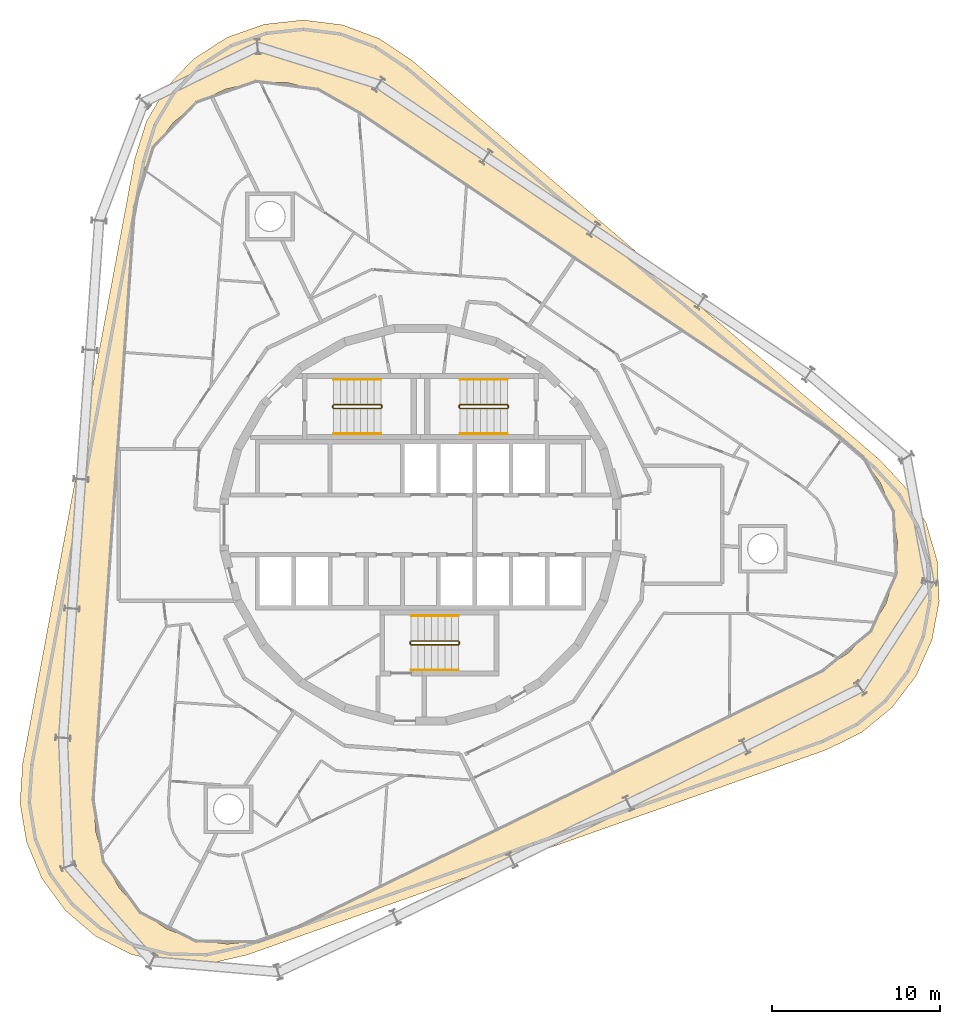
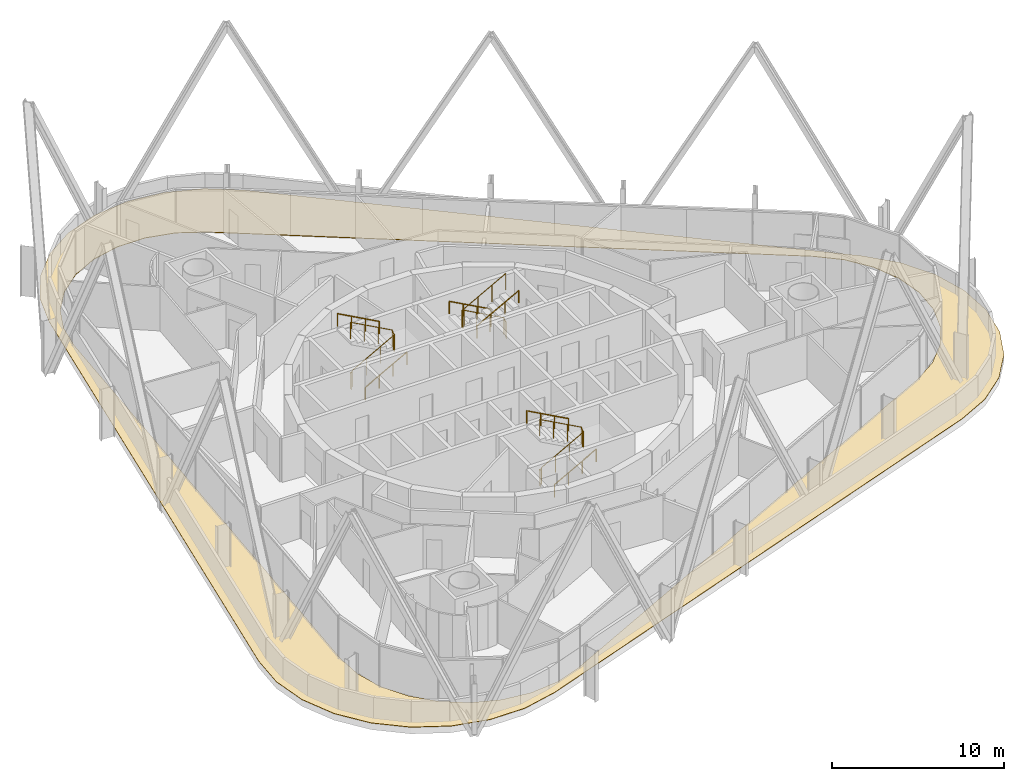
# One storey, part 18 of 18: 9 railings, 1 covering.
"""IFC4 building model written with IfcOpenShell, lengths in metres."""

import ifcopenshell
import ifcopenshell.guid

model = None  # the IFC model being written
_history = None  # IfcOwnerHistory: only IFC2X3 demands one
_inside = {}  # id of a spatial element -> (the spatial element, [elements in it])
_under = {}  # id of a project, library or spatial element -> (it, [spatial elements below it])
_declared = {}  # id of a project -> (the project, [libraries it declares])
_typed = {}  # id of a type object -> (the type object, [elements of that type])
_made_of = {}  # id of a material, layer set ... -> (it, [elements and type objects made of it])


def new_model(schema):
    """Start an empty IFC model of exactly this schema.

    Asked for "IFC4X3", IfcOpenShell would pick the latest addendum, in which some entities
    have other attributes; the version numbers below select the first issue.
    IFC2X3 requires an IfcOwnerHistory on every rooted entity: one is made here for all.
    """
    global model, _history
    if schema == "IFC4X3":
        model = ifcopenshell.file(schema_version=(4, 3, 0, 0))
    else:
        model = ifcopenshell.file(schema=schema)
    _inside.clear()
    _under.clear()
    _declared.clear()
    _typed.clear()
    _made_of.clear()
    _history = None
    if model.schema == "IFC2X3":
        org = make("IfcOrganization", Name="unknown")
        user = make(
            "IfcPersonAndOrganization",
            ThePerson=make("IfcPerson", FamilyName="unknown"),
            TheOrganization=org,
        )
        app = make(
            "IfcApplication",
            ApplicationDeveloper=org,
            Version="unknown",
            ApplicationFullName="unknown",
            ApplicationIdentifier="unknown",
        )
        _history = make(
            "IfcOwnerHistory",
            OwningUser=user,
            OwningApplication=app,
            ChangeAction="ADDED",
            CreationDate=0,
        )
    return model


def make(cls, **values):
    """One entity of the class cls with the attributes given. An attribute that is None is left unset."""
    return model.create_entity(
        cls, **{name: value for name, value in values.items() if value is not None}
    )


def rooted(cls, **values):
    """An entity with a GlobalId (a new one), such as an element, a storey or a relation."""
    return make(cls, GlobalId=ifcopenshell.guid.new(), OwnerHistory=_history, **values)


def si_unit(unit_type, name, prefix=None):
    """IfcSIUnit, for example si_unit("LENGTHUNIT", "METRE", prefix="MILLI")."""
    return make("IfcSIUnit", UnitType=unit_type, Prefix=prefix, Name=name)


def assignment(units):
    """IfcUnitAssignment: the units of a project."""
    return None if units is None else make("IfcUnitAssignment", Units=units)


def point(xyz):
    """IfcCartesianPoint."""
    return None if xyz is None else make("IfcCartesianPoint", Coordinates=xyz)


def direction(xyz):
    """IfcDirection."""
    return None if xyz is None else make("IfcDirection", DirectionRatios=xyz)


def frame(location, z_axis=None, x_axis=None):
    """IfcAxis2Placement3D, a coordinate frame: its origin and axes. An axis left out is left unset."""
    return make(
        "IfcAxis2Placement3D",
        Location=point(location),
        Axis=direction(z_axis),
        RefDirection=direction(x_axis),
    )


def frame_2d(location, x_axis=None):
    """IfcAxis2Placement2D, a coordinate frame in the plane: its origin and x axis."""
    return make(
        "IfcAxis2Placement2D", Location=point(location), RefDirection=direction(x_axis)
    )


def origin():
    """The frame at (0, 0, 0) with its axes left unset."""
    return frame((0.0, 0.0, 0.0))


def origin_2d():
    """The frame at (0, 0) in the plane with its x axis left unset."""
    return frame_2d((0.0, 0.0))


def place(relative_to, where):
    """IfcLocalPlacement: puts the frame where relative to a parent placement (None: the world)."""
    return make(
        "IfcLocalPlacement", PlacementRelTo=relative_to, RelativePlacement=where
    )


def context(
    kind, dimensions, precision=None, world=None, true_north=None, identifier=None
):
    """IfcGeometricRepresentationContext, for example the 3D "Model" context."""
    return make(
        "IfcGeometricRepresentationContext",
        ContextIdentifier=identifier,
        ContextType=kind,
        CoordinateSpaceDimension=dimensions,
        Precision=precision,
        WorldCoordinateSystem=world,
        TrueNorth=true_north,
    )


def subcontext(parent, identifier, kind, view, scale=None):
    """IfcGeometricRepresentationSubContext, for example "Body" below "Model"."""
    return make(
        "IfcGeometricRepresentationSubContext",
        ContextIdentifier=identifier,
        ContextType=kind,
        ParentContext=parent,
        TargetScale=scale,
        TargetView=view,
    )


def project(units=None, contexts=None):
    """IfcProject with its units and contexts."""
    return rooted(
        "IfcProject",
        Name="project",
        RepresentationContexts=contexts,
        UnitsInContext=assignment(units),
    )


def spatial(cls, under=None, at=None, **own):
    """A site, building, storey or space (cls), placed at a placement, below another one or the project."""
    s = rooted(cls, ObjectPlacement=at, **own)
    if under is not None:
        _under.setdefault(under.id(), (under, []))[1].append(s)
    return s


def polyline(points):
    """IfcPolyline through the points."""
    return make("IfcPolyline", Points=[point(p) for p in points])


def profile(cls, at=None, kind="AREA", **sizes):
    """A parametric profile (cls). Its sizes go by their IFC names, for example OverallWidth=200.0."""
    return make(cls, ProfileType=kind, Position=at, **sizes)


def circle(**sizes):
    """IfcCircleProfileDef."""
    return profile("IfcCircleProfileDef", **sizes)


def outline(outer, holes=None, kind="AREA"):
    """IfcArbitraryClosedProfileDef: a profile drawn as a closed curve; with holes, ...WithVoids."""
    if holes is None:
        return make("IfcArbitraryClosedProfileDef", ProfileType=kind, OuterCurve=outer)
    return make(
        "IfcArbitraryProfileDefWithVoids",
        ProfileType=kind,
        OuterCurve=outer,
        InnerCurves=holes,
    )


def extrude(swept, where, along, depth):
    """IfcExtrudedAreaSolid: the profile swept, set in the frame where, extruded along a direction by depth."""
    return make(
        "IfcExtrudedAreaSolid",
        SweptArea=swept,
        Position=where,
        ExtrudedDirection=direction(along),
        Depth=depth,
    )


def shape(context_of_items, identifier, shape_type, items):
    """IfcShapeRepresentation: the items that make up one representation, for example the "Body"."""
    return make(
        "IfcShapeRepresentation",
        ContextOfItems=context_of_items,
        RepresentationIdentifier=identifier,
        RepresentationType=shape_type,
        Items=items,
    )


def material(Name=None, Category=None):
    """IfcMaterial."""
    return make("IfcMaterial", Name=Name, Category=Category)


def layer(
    of_material, thickness, ventilated=None, Name=None, Category=None, Priority=None
):
    """IfcMaterialLayer: one layer of a wall or slab, of a material (None: an air gap)."""
    return make(
        "IfcMaterialLayer",
        Material=of_material,
        LayerThickness=thickness,
        IsVentilated=ventilated,
        Name=Name,
        Category=Category,
        Priority=Priority,
    )


def layer_set(layers, Name=None):
    """IfcMaterialLayerSet."""
    return make("IfcMaterialLayerSet", MaterialLayers=layers, LayerSetName=Name)


def made_of(thing, what):
    """Note that an element or type object is made of a material, layer set ...; save() writes the relation."""
    if what is not None:
        _made_of.setdefault(what.id(), (what, []))[1].append(thing)
    return thing


def type_object(cls, material=None, **own):
    """A type object (cls), such as IfcWallType, which elements share."""
    return made_of(rooted(cls, **own), material)


def element(
    cls,
    number,
    at=None,
    inside=None,
    cuts=None,
    type_object=None,
    material=None,
    context=None,
    identifier="Body",
    shape_type=None,
    held_by="IfcProductDefinitionShape",
    body=None,
    shapes=None,
    **own,
):
    """One element of the class cls, such as IfcWall. Its Tag is "e" and its number.

    at: its placement. inside: the storey or other place that contains it. cuts: it is an
    opening in that element (IfcRelVoidsElement). A single representation is given by context,
    identifier, shape_type and body (its items); several are given by shapes. held_by: the class
    of the entity that holds the representations. save() writes the other relations.
    """
    e = rooted(cls, Tag="e%d" % number, ObjectPlacement=at, **own)
    if body is not None:
        shapes = [shape(context, identifier, shape_type, body)]
    if shapes is not None:
        e.Representation = make(held_by, Representations=shapes)
    if inside is not None:
        _inside.setdefault(inside.id(), (inside, []))[1].append(e)
    if cuts is not None:
        rooted(
            "IfcRelVoidsElement", RelatingBuildingElement=cuts, RelatedOpeningElement=e
        )
    if type_object is not None:
        _typed.setdefault(type_object.id(), (type_object, []))[1].append(e)
    return made_of(e, material)


def aggregate(whole, parts):
    """IfcRelAggregates: a whole, such as a stair, and the parts it consists of."""
    return rooted("IfcRelAggregates", RelatingObject=whole, RelatedObjects=parts)


def save(model, path):
    """Write the relations noted so far, then the file.

    IfcRelAggregates (storeys below a building ...), IfcRelContainedInSpatialStructure (elements
    in a storey), IfcRelDefinesByType, IfcRelAssociatesMaterial and IfcRelDeclares: one each for
    every whole, place, type object, material and project.
    """
    for whole, parts in _under.values():
        aggregate(whole, parts)
    for where, things in _inside.values():
        rooted(
            "IfcRelContainedInSpatialStructure",
            RelatedElements=things,
            RelatingStructure=where,
        )
    for kind, things in _typed.values():
        rooted("IfcRelDefinesByType", RelatedObjects=things, RelatingType=kind)
    for what, things in _made_of.values():
        rooted("IfcRelAssociatesMaterial", RelatedObjects=things, RelatingMaterial=what)
    for by, libraries in _declared.values():
        rooted("IfcRelDeclares", RelatingContext=by, RelatedDefinitions=libraries)
    model.write(path)


model = new_model("IFC4")

# Units and contexts
model_context = context("Model", 3, precision=1e-05, world=origin(), true_north=direction((0.0, 1.0)))
body_context = subcontext(model_context, "Body", "Model", "MODEL_VIEW")
ifc_project = project(units=[si_unit("LENGTHUNIT", "METRE"), si_unit("AREAUNIT", "SQUARE_METRE"), si_unit("VOLUMEUNIT", "CUBIC_METRE"), si_unit("PLANEANGLEUNIT", "RADIAN"), si_unit("MASSUNIT", "GRAM", prefix="KILO")], contexts=[model_context])

# Site, building, storey
site_placement = place(None, origin())
site = spatial("IfcSite", under=ifc_project, at=site_placement, CompositionType="ELEMENT")
building_placement = place(site_placement, origin())
building = spatial("IfcBuilding", under=site, at=building_placement, Name="Spindle Arch Residences", CompositionType="ELEMENT")
storey_placement = place(building_placement, frame((0.0, 0.0, 188.39990234375)))
storey = spatial("IfcBuildingStorey", under=building, at=storey_placement, Name="L47", CompositionType="ELEMENT", Elevation=188.39990234375)

# Railings
ifc_material_1 = material(Name="Steel, painted", Category="steel")
railing_type_1 = type_object("IfcRailingType", Name="Stair guard 1100", PredefinedType="GUARDRAIL", material=ifc_material_1)
railing_1_placement = place(storey_placement, frame((5.14990234375, 6.89990234375, 3.5)))
element("IfcRailing", 1, at=railing_1_placement, inside=storey, type_object=railing_type_1, Name="L47 ST1 stair guard 1", PredefinedType="GUARDRAIL", context=body_context, shape_type="SweptSolid", body=[
    extrude(circle(Radius=0.02392578125, at=origin_2d()), frame((0.0, 0.0, 1.17578125), z_axis=(-0.877357048833, 0.0, -0.479838106931), x_axis=(0.0, -1.0, 0.0)), (0.0, 0.0, 1.0), 3.191162109375),
    extrude(circle(Radius=0.02392578125, at=origin_2d()), frame((-2.7998046875, 0.0, -0.35546875), z_axis=(-0.217683172539, 0.217683172539, -0.951434744366), x_axis=(-0.707106781187, -0.707106781187, 0.0)), (0.0, 0.0, 1.0), 0.22998046875),
    extrude(circle(Radius=0.02392578125, at=origin_2d()), frame((-2.849853515625, 0.050048828125, -0.57421875), z_axis=(0.0, 1.0, 0.0), x_axis=(-1.0, 0.0, 0.0)), (0.0, 0.0, 1.0), 0.1201171875),
    extrude(circle(Radius=0.02392578125, at=origin_2d()), frame((-2.849853515625, 0.170166015625, -0.57421875), z_axis=(0.707106781187, 0.707106781187, 0.0), x_axis=(-0.707106781187, 0.707106781187, 0.0)), (0.0, 0.0, 1.0), 0.07080078125),
    extrude(circle(Radius=0.02392578125, at=origin_2d()), frame((-2.7998046875, 0.22021484375, -0.57421875), z_axis=(0.877357048833, 0.0, -0.479838106931), x_axis=(0.0, 1.0, 0.0)), (0.0, 0.0, 1.0), 3.191162109375),
    extrude(circle(Radius=0.02392578125, at=origin_2d()), frame((0.0, 0.22021484375, -2.10546875), z_axis=(0.217683172539, -0.217683172539, -0.951434744366), x_axis=(0.707106781187, 0.707106781187, 0.0)), (0.0, 0.0, 1.0), 0.22998046875),
    extrude(circle(Radius=0.02392578125, at=origin_2d()), frame((0.050048828125, 0.170166015625, -2.32421875), z_axis=(0.0, -1.0, 0.0), x_axis=(1.0, 0.0, 0.0)), (0.0, 0.0, 1.0), 0.1201171875),
    extrude(circle(Radius=0.02099609375, at=origin_2d()), origin(), (0.0, 0.0, 1.0), 1.15185546875),
    extrude(circle(Radius=0.02099609375, at=origin_2d()), frame((-0.933349609375, 0.0, -0.510498046875)), (0.0, 0.0, 1.0), 1.15185546875),
    extrude(circle(Radius=0.02099609375, at=origin_2d()), frame((-1.866455078125, 0.0, -1.020751953125)), (0.0, 0.0, 1.0), 1.15185546875),
    extrude(circle(Radius=0.02099609375, at=origin_2d()), frame((-2.7998046875, 0.0, -1.53125)), (0.0, 0.0, 1.0), 1.15185546875),
    extrude(circle(Radius=0.02099609375, at=origin_2d()), frame((-2.849853515625, 0.050048828125, -1.75)), (0.0, 0.0, 1.0), 1.15185546875),
    extrude(circle(Radius=0.02099609375, at=origin_2d()), frame((-2.849853515625, 0.170166015625, -1.75)), (0.0, 0.0, 1.0), 1.15185546875),
    extrude(circle(Radius=0.02099609375, at=origin_2d()), frame((-2.7998046875, 0.22021484375, -1.75)), (0.0, 0.0, 1.0), 1.15185546875),
    extrude(circle(Radius=0.02099609375, at=origin_2d()), frame((-1.866455078125, 0.22021484375, -2.260498046875)), (0.0, 0.0, 1.0), 1.15185546875),
    extrude(circle(Radius=0.02099609375, at=origin_2d()), frame((-0.933349609375, 0.22021484375, -2.770751953125)), (0.0, 0.0, 1.0), 1.15185546875),
    extrude(circle(Radius=0.02099609375, at=origin_2d()), frame((0.0, 0.22021484375, -3.28125)), (0.0, 0.0, 1.0), 1.15185546875),
    extrude(circle(Radius=0.02099609375, at=origin_2d()), frame((0.050048828125, 0.170166015625, -3.5)), (0.0, 0.0, 1.0), 1.15185546875),
    extrude(circle(Radius=0.02099609375, at=origin_2d()), frame((0.050048828125, 0.050048828125, -3.5)), (0.0, 0.0, 1.0), 1.15185546875),
])
railing_2_placement = place(storey_placement, frame((-5.14990234375, 7.1201171875, 3.5)))
element("IfcRailing", 2, at=railing_2_placement, inside=storey, type_object=railing_type_1, Name="L47 ST2 stair guard 1", PredefinedType="GUARDRAIL", context=body_context, shape_type="SweptSolid", body=[
    extrude(circle(Radius=0.02392578125, at=origin_2d()), frame((0.0, 0.0, 1.17578125), z_axis=(0.877357048833, 0.0, -0.479838106931), x_axis=(0.0, 1.0, 0.0)), (0.0, 0.0, 1.0), 3.191162109375),
    extrude(circle(Radius=0.02392578125, at=origin_2d()), frame((2.7998046875, 0.0, -0.35546875), z_axis=(0.217683172539, -0.217683172539, -0.951434744366), x_axis=(0.707106781187, 0.707106781187, 0.0)), (0.0, 0.0, 1.0), 0.22998046875),
    extrude(circle(Radius=0.02392578125, at=origin_2d()), frame((2.849853515625, -0.050048828125, -0.57421875), z_axis=(0.0, -1.0, 0.0), x_axis=(1.0, 0.0, 0.0)), (0.0, 0.0, 1.0), 0.1201171875),
    extrude(circle(Radius=0.02392578125, at=origin_2d()), frame((2.849853515625, -0.170166015625, -0.57421875), z_axis=(-0.707106781187, -0.707106781187, 0.0), x_axis=(0.707106781187, -0.707106781187, 0.0)), (0.0, 0.0, 1.0), 0.07080078125),
    extrude(circle(Radius=0.02392578125, at=origin_2d()), frame((2.7998046875, -0.22021484375, -0.57421875), z_axis=(-0.877357048833, 0.0, -0.479838106931), x_axis=(0.0, -1.0, 0.0)), (0.0, 0.0, 1.0), 3.191162109375),
    extrude(circle(Radius=0.02392578125, at=origin_2d()), frame((0.0, -0.22021484375, -2.10546875), z_axis=(-0.217683172539, 0.217683172539, -0.951434744366), x_axis=(-0.707106781187, -0.707106781187, 0.0)), (0.0, 0.0, 1.0), 0.22998046875),
    extrude(circle(Radius=0.02392578125, at=origin_2d()), frame((-0.050048828125, -0.170166015625, -2.32421875), z_axis=(0.0, 1.0, 0.0), x_axis=(-1.0, 0.0, 0.0)), (0.0, 0.0, 1.0), 0.1201171875),
    extrude(circle(Radius=0.02099609375, at=origin_2d()), origin(), (0.0, 0.0, 1.0), 1.15185546875),
    extrude(circle(Radius=0.02099609375, at=origin_2d()), frame((0.933349609375, 0.0, -0.510498046875)), (0.0, 0.0, 1.0), 1.15185546875),
    extrude(circle(Radius=0.02099609375, at=origin_2d()), frame((1.866455078125, 0.0, -1.020751953125)), (0.0, 0.0, 1.0), 1.15185546875),
    extrude(circle(Radius=0.02099609375, at=origin_2d()), frame((2.7998046875, 0.0, -1.53125)), (0.0, 0.0, 1.0), 1.15185546875),
    extrude(circle(Radius=0.02099609375, at=origin_2d()), frame((2.849853515625, -0.050048828125, -1.75)), (0.0, 0.0, 1.0), 1.15185546875),
    extrude(circle(Radius=0.02099609375, at=origin_2d()), frame((2.849853515625, -0.170166015625, -1.75)), (0.0, 0.0, 1.0), 1.15185546875),
    extrude(circle(Radius=0.02099609375, at=origin_2d()), frame((2.7998046875, -0.22021484375, -1.75)), (0.0, 0.0, 1.0), 1.15185546875),
    extrude(circle(Radius=0.02099609375, at=origin_2d()), frame((1.866455078125, -0.22021484375, -2.260498046875)), (0.0, 0.0, 1.0), 1.15185546875),
    extrude(circle(Radius=0.02099609375, at=origin_2d()), frame((0.933349609375, -0.22021484375, -2.770751953125)), (0.0, 0.0, 1.0), 1.15185546875),
    extrude(circle(Radius=0.02099609375, at=origin_2d()), frame((0.0, -0.22021484375, -3.28125)), (0.0, 0.0, 1.0), 1.15185546875),
    extrude(circle(Radius=0.02099609375, at=origin_2d()), frame((-0.050048828125, -0.170166015625, -3.5)), (0.0, 0.0, 1.0), 1.15185546875),
    extrude(circle(Radius=0.02099609375, at=origin_2d()), frame((-0.050048828125, -0.050048828125, -3.5)), (0.0, 0.0, 1.0), 1.15185546875),
])
railing_3_placement = place(storey_placement, frame((-0.550048828125, -6.89990234375, 3.5)))
element("IfcRailing", 3, at=railing_3_placement, inside=storey, type_object=railing_type_1, Name="L47 ST3 stair guard 1", PredefinedType="GUARDRAIL", context=body_context, shape_type="SweptSolid", body=[
    extrude(circle(Radius=0.02392578125, at=origin_2d()), frame((0.0, 0.0, 1.17578125), z_axis=(0.877374661878, 0.0, -0.479805901063), x_axis=(0.0, 1.0, 0.0)), (0.0, 0.0, 1.0), 3.19140625),
    extrude(circle(Radius=0.02392578125, at=origin_2d()), frame((2.800048828125, 0.0, -0.35546875), z_axis=(0.217683172539, -0.217683172539, -0.951434744366), x_axis=(0.707106781187, 0.707106781187, 0.0)), (0.0, 0.0, 1.0), 0.22998046875),
    extrude(circle(Radius=0.02392578125, at=origin_2d()), frame((2.85009765625, -0.050048828125, -0.57421875), z_axis=(0.0, -1.0, 0.0), x_axis=(1.0, 0.0, 0.0)), (0.0, 0.0, 1.0), 0.1201171875),
    extrude(circle(Radius=0.02392578125, at=origin_2d()), frame((2.85009765625, -0.170166015625, -0.57421875), z_axis=(-0.707106781187, -0.707106781187, 0.0), x_axis=(0.707106781187, -0.707106781187, 0.0)), (0.0, 0.0, 1.0), 0.07080078125),
    extrude(circle(Radius=0.02392578125, at=origin_2d()), frame((2.800048828125, -0.22021484375, -0.57421875), z_axis=(-0.877374661878, 0.0, -0.479805901063), x_axis=(0.0, -1.0, 0.0)), (0.0, 0.0, 1.0), 3.19140625),
    extrude(circle(Radius=0.02392578125, at=origin_2d()), frame((0.0, -0.22021484375, -2.10546875), z_axis=(-0.217683172539, 0.217683172539, -0.951434744366), x_axis=(-0.707106781187, -0.707106781187, 0.0)), (0.0, 0.0, 1.0), 0.22998046875),
    extrude(circle(Radius=0.02392578125, at=origin_2d()), frame((-0.050048828125, -0.170166015625, -2.32421875), z_axis=(0.0, 1.0, 0.0), x_axis=(-1.0, 0.0, 0.0)), (0.0, 0.0, 1.0), 0.1201171875),
    extrude(circle(Radius=0.02099609375, at=origin_2d()), origin(), (0.0, 0.0, 1.0), 1.15185546875),
    extrude(circle(Radius=0.02099609375, at=origin_2d()), frame((0.933349609375, 0.0, -0.510498046875)), (0.0, 0.0, 1.0), 1.15185546875),
    extrude(circle(Radius=0.02099609375, at=origin_2d()), frame((1.86669921875, 0.0, -1.020751953125)), (0.0, 0.0, 1.0), 1.15185546875),
    extrude(circle(Radius=0.02099609375, at=origin_2d()), frame((2.800048828125, 0.0, -1.53125)), (0.0, 0.0, 1.0), 1.15185546875),
    extrude(circle(Radius=0.02099609375, at=origin_2d()), frame((2.85009765625, -0.050048828125, -1.75)), (0.0, 0.0, 1.0), 1.15185546875),
    extrude(circle(Radius=0.02099609375, at=origin_2d()), frame((2.85009765625, -0.170166015625, -1.75)), (0.0, 0.0, 1.0), 1.15185546875),
    extrude(circle(Radius=0.02099609375, at=origin_2d()), frame((2.800048828125, -0.22021484375, -1.75)), (0.0, 0.0, 1.0), 1.15185546875),
    extrude(circle(Radius=0.02099609375, at=origin_2d()), frame((1.86669921875, -0.22021484375, -2.260498046875)), (0.0, 0.0, 1.0), 1.15185546875),
    extrude(circle(Radius=0.02099609375, at=origin_2d()), frame((0.933349609375, -0.22021484375, -2.770751953125)), (0.0, 0.0, 1.0), 1.15185546875),
    extrude(circle(Radius=0.02099609375, at=origin_2d()), frame((0.0, -0.22021484375, -3.28125)), (0.0, 0.0, 1.0), 1.15185546875),
    extrude(circle(Radius=0.02099609375, at=origin_2d()), frame((-0.050048828125, -0.170166015625, -3.5)), (0.0, 0.0, 1.0), 1.15185546875),
    extrude(circle(Radius=0.02099609375, at=origin_2d()), frame((-0.050048828125, -0.050048828125, -3.5)), (0.0, 0.0, 1.0), 1.15185546875),
])
ifc_material_2 = material(Name="Steel, painted", Category="steel")
railing_type_2 = type_object("IfcRailingType", Name="Stair handrail 900", PredefinedType="HANDRAIL", material=ifc_material_2)
railing_4_placement = place(storey_placement, frame((5.14990234375, 8.6201171875, 0.21875)))
element("IfcRailing", 4, at=railing_4_placement, inside=storey, type_object=railing_type_2, Name="L47 ST1 stair handrail 1", PredefinedType="HANDRAIL", context=body_context, shape_type="SweptSolid", body=[
    extrude(circle(Radius=0.02392578125, at=origin_2d()), frame((0.0, 0.0, 0.8759765625), z_axis=(-0.877357048833, 0.0, 0.479838106931), x_axis=(0.0, -1.0, 0.0)), (0.0, 0.0, 1.0), 3.191162109375),
    extrude(circle(Radius=0.02099609375, at=origin_2d()), origin(), (0.0, 0.0, 1.0), 0.851806640625),
    extrude(circle(Radius=0.02099609375, at=origin_2d()), frame((-0.933349609375, 0.0, 0.510498046875)), (0.0, 0.0, 1.0), 0.851806640625),
    extrude(circle(Radius=0.02099609375, at=origin_2d()), frame((-1.866455078125, 0.0, 1.020751953125)), (0.0, 0.0, 1.0), 0.851806640625),
    extrude(circle(Radius=0.02099609375, at=origin_2d()), frame((-2.7998046875, 0.0, 1.53125)), (0.0, 0.0, 1.0), 0.851806640625),
])
for number, where, name in (
    (5, (2.35009765625, 5.39990234375, 1.96875), "L47 ST1 stair handrail 2"),
    (6, (-5.14990234375, 5.39990234375, 0.21875), "L47 ST2 stair handrail 1"),
):
    element("IfcRailing", number, at=place(storey_placement, frame(where)), inside=storey, type_object=railing_type_2, Name=name, PredefinedType="HANDRAIL", context=body_context, shape_type="SweptSolid", body=[
        extrude(circle(Radius=0.02392578125, at=origin_2d()), frame((0.0, 0.0, 0.8759765625), z_axis=(0.877357048833, 0.0, 0.479838106931), x_axis=(0.0, 1.0, 0.0)), (0.0, 0.0, 1.0), 3.191162109375),
        extrude(circle(Radius=0.02099609375, at=origin_2d()), origin(), (0.0, 0.0, 1.0), 0.851806640625),
        extrude(circle(Radius=0.02099609375, at=origin_2d()), frame((0.933349609375, 0.0, 0.510498046875)), (0.0, 0.0, 1.0), 0.851806640625),
        extrude(circle(Radius=0.02099609375, at=origin_2d()), frame((1.866455078125, 0.0, 1.020751953125)), (0.0, 0.0, 1.0), 0.851806640625),
        extrude(circle(Radius=0.02099609375, at=origin_2d()), frame((2.7998046875, 0.0, 1.53125)), (0.0, 0.0, 1.0), 0.851806640625),
    ])
railing_5_placement = place(storey_placement, frame((-2.35009765625, 8.6201171875, 1.96875)))
element("IfcRailing", 7, at=railing_5_placement, inside=storey, type_object=railing_type_2, Name="L47 ST2 stair handrail 2", PredefinedType="HANDRAIL", context=body_context, shape_type="SweptSolid", body=[
    extrude(circle(Radius=0.02392578125, at=origin_2d()), frame((0.0, 0.0, 0.8759765625), z_axis=(-0.877357048833, 0.0, 0.479838106931), x_axis=(0.0, -1.0, 0.0)), (0.0, 0.0, 1.0), 3.191162109375),
    extrude(circle(Radius=0.02099609375, at=origin_2d()), origin(), (0.0, 0.0, 1.0), 0.851806640625),
    extrude(circle(Radius=0.02099609375, at=origin_2d()), frame((-0.933349609375, 0.0, 0.510498046875)), (0.0, 0.0, 1.0), 0.851806640625),
    extrude(circle(Radius=0.02099609375, at=origin_2d()), frame((-1.866455078125, 0.0, 1.020751953125)), (0.0, 0.0, 1.0), 0.851806640625),
    extrude(circle(Radius=0.02099609375, at=origin_2d()), frame((-2.7998046875, 0.0, 1.53125)), (0.0, 0.0, 1.0), 0.851806640625),
])
railing_6_placement = place(storey_placement, frame((-0.550048828125, -8.6201171875, 0.21875)))
element("IfcRailing", 8, at=railing_6_placement, inside=storey, type_object=railing_type_2, Name="L47 ST3 stair handrail 1", PredefinedType="HANDRAIL", context=body_context, shape_type="SweptSolid", body=[
    extrude(circle(Radius=0.02392578125, at=origin_2d()), frame((0.0, 0.0, 0.8759765625), z_axis=(0.877374661878, 0.0, 0.479805901063), x_axis=(0.0, 1.0, 0.0)), (0.0, 0.0, 1.0), 3.19140625),
    extrude(circle(Radius=0.02099609375, at=origin_2d()), origin(), (0.0, 0.0, 1.0), 0.851806640625),
    extrude(circle(Radius=0.02099609375, at=origin_2d()), frame((0.933349609375, 0.0, 0.510498046875)), (0.0, 0.0, 1.0), 0.851806640625),
    extrude(circle(Radius=0.02099609375, at=origin_2d()), frame((1.86669921875, 0.0, 1.020751953125)), (0.0, 0.0, 1.0), 0.851806640625),
    extrude(circle(Radius=0.02099609375, at=origin_2d()), frame((2.800048828125, 0.0, 1.53125)), (0.0, 0.0, 1.0), 0.851806640625),
])
railing_7_placement = place(storey_placement, frame((2.25, -5.39990234375, 1.96875)))
element("IfcRailing", 9, at=railing_7_placement, inside=storey, type_object=railing_type_2, Name="L47 ST3 stair handrail 2", PredefinedType="HANDRAIL", context=body_context, shape_type="SweptSolid", body=[
    extrude(circle(Radius=0.02392578125, at=origin_2d()), frame((0.0, 0.0, 0.8759765625), z_axis=(-0.877374661878, 0.0, 0.479805901063), x_axis=(0.0, -1.0, 0.0)), (0.0, 0.0, 1.0), 3.19140625),
    extrude(circle(Radius=0.02099609375, at=origin_2d()), origin(), (0.0, 0.0, 1.0), 0.851806640625),
    extrude(circle(Radius=0.02099609375, at=origin_2d()), frame((-0.933349609375, 0.0, 0.510498046875)), (0.0, 0.0, 1.0), 0.851806640625),
    extrude(circle(Radius=0.02099609375, at=origin_2d()), frame((-1.86669921875, 0.0, 1.020751953125)), (0.0, 0.0, 1.0), 0.851806640625),
    extrude(circle(Radius=0.02099609375, at=origin_2d()), frame((-2.800048828125, 0.0, 1.53125)), (0.0, 0.0, 1.0), 0.851806640625),
])

# Covering
ifc_material_3 = material(Name="Non-combustible mineral wool, bituminous membrane and concrete pavers", Category="concrete")
ifc_layer = layer(ifc_material_3, 0.030029296875)
ifc_layer_set = layer_set([ifc_layer], Name="Terrace roofing membrane and pavers")
covering_type = type_object("IfcCoveringType", Name="Terrace roofing membrane and pavers", PredefinedType="ROOFING", material=ifc_layer_set)
covering_placement = place(storey_placement, origin())
element("IfcCovering", 10, at=covering_placement, inside=storey, type_object=covering_type, Name="Terrace roofing L46 1", PredefinedType="ROOFING", context=body_context, shape_type="SweptSolid", body=[
    extrude(outline(polyline([(-10.309814453125, -25.539306640625), (-12.59619140625, -26.060302734375), (-14.941162109375, -26.039794921875), (-17.21826171875, -25.47900390625), (-19.3046875, -24.408203125), (-21.087890625, -22.88525390625), (-22.4716796875, -20.9921875), (-23.3818359375, -18.830810546875), (-23.768798828125, -16.517822265625), (-23.612060546875, -14.177978515625), (-16.962890625, 21.6982421875), (-16.270751953125, 23.938720703125), (-15.080322265625, 25.959228515625), (-13.456298828125, 27.65087890625), (-11.48583984375, 28.92236328125), (-9.275390625, 29.705322265625), (-6.94384765625, 29.957275390625), (-4.616943359375, 29.66455078125), (-2.42041015625, 28.84326171875), (-0.472412109375, 27.53759765625), (27.2724609375, 3.841064453125), (28.866943359375, 2.121337890625), (30.021728515625, 0.080322265625), (30.674560546875, -2.171875), (30.79052734375, -4.51416015625), (30.36328125, -6.820068359375), (29.41552734375, -8.965087890625), (27.998779296875, -10.833740234375), (26.189208984375, -12.325439453125), (24.08447265625, -13.359619140625), (6.887451171875, -19.449462890625), (-10.309814453125, -25.539306640625)]), holes=[polyline([(23.81884765625, -8.610595703125), (25.382568359375, -7.608154296875), (26.6728515625, -6.27197265625), (27.620361328125, -4.67431640625), (28.173583984375, -2.901123046875), (28.30322265625, -1.048095703125), (28.001953125, 0.78466796875), (27.2861328125, 2.498779296875), (26.1943359375, 4.00146484375), (24.785400390625, 5.2119140625), (-4.452392578125, 24.93310546875), (-6.1025390625, 25.785888671875), (-7.90478515625, 26.2353515625), (-9.76220703125, 26.257080078125), (-11.574462890625, 25.849609375), (-13.243896484375, 25.035400390625), (-14.6806640625, 23.858154296875), (-15.80712890625, 22.381103515625), (-16.5625, 20.684326171875), (-16.906494140625, 18.85888671875), (-19.366455078125, -16.322509765625), (-19.280029296875, -18.177978515625), (-18.76806640625, -19.96337890625), (-17.858154296875, -21.582763671875), (-16.599365234375, -22.948486328125), (-15.059326171875, -23.9873046875), (-13.3212890625, -24.642822265625), (-11.47900390625, -24.8798828125), (-9.6318359375, -24.685791015625), (-7.879150390625, -24.07080078125), (7.969970703125, -16.3408203125), (23.81884765625, -8.610595703125)])]), origin(), (0.0, 0.0, 1.0), 0.030029296875),
])

save(model, "model.ifc")
